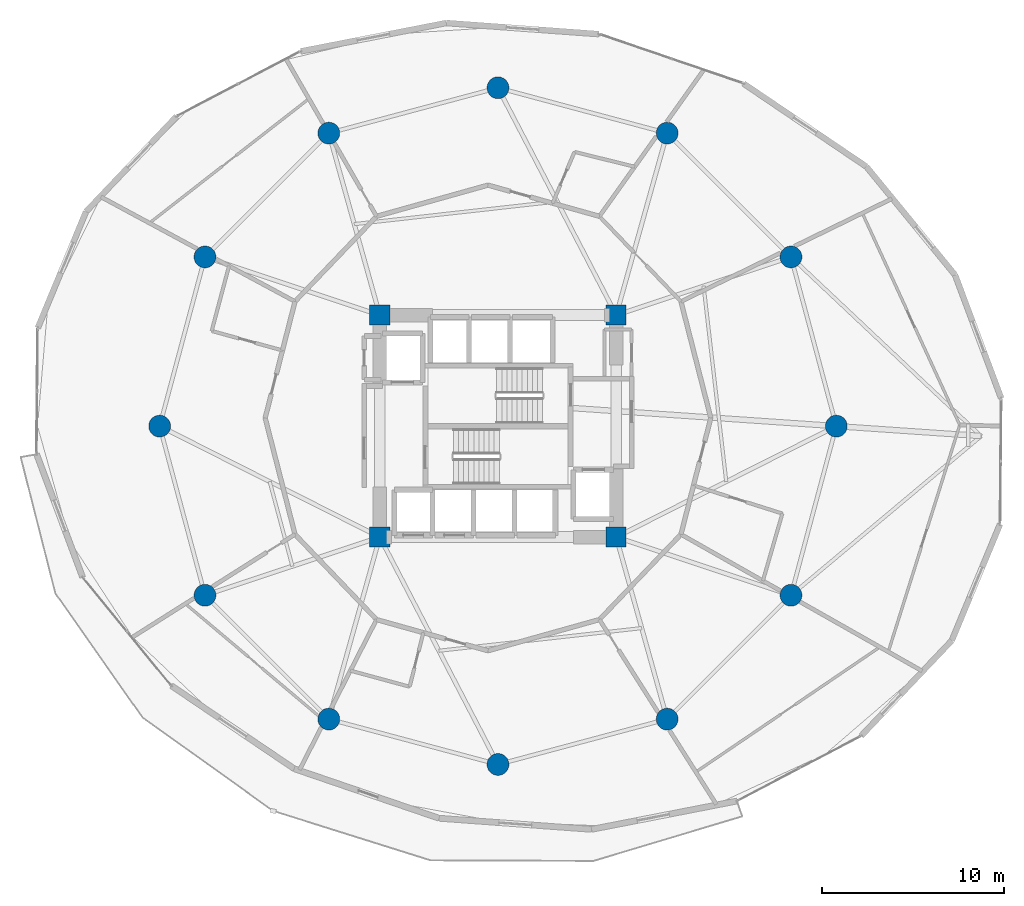
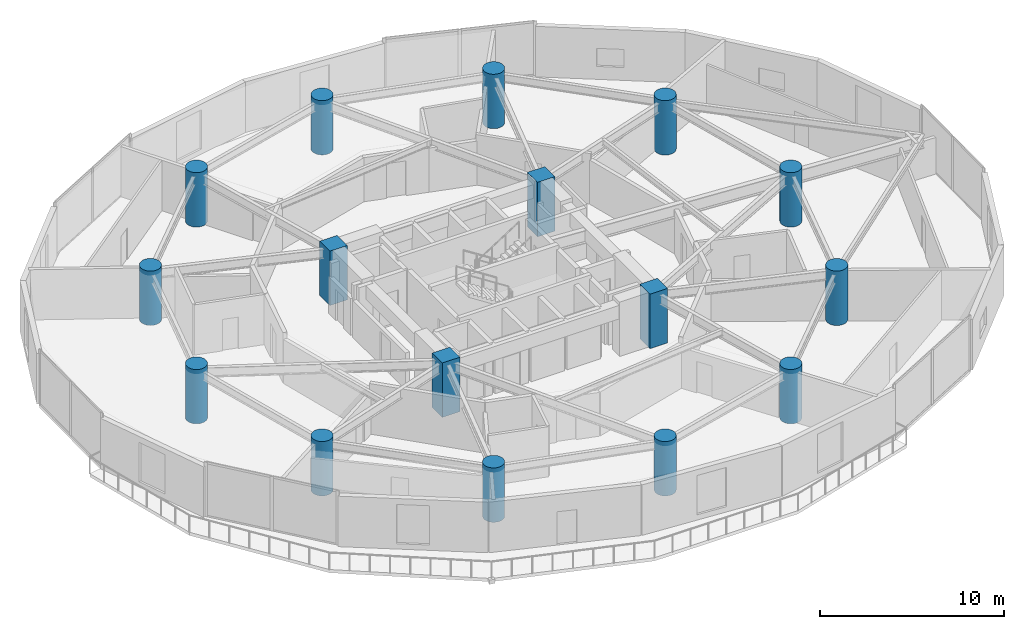
# One storey, part 1 of 20: 16 columns.
"""IFC4 building model written with IfcOpenShell, lengths in metres."""

from ifc_helpers import new_model, si_unit, direction, frame, origin, origin_2d, place, context, subcontext, project, spatial, rectangle, circle, extrude, material, material_profile, profile_set, type_object, element, save


model = new_model("IFC4")

# Units and contexts
model_context = context("Model", 3, precision=1e-05, world=origin(), true_north=direction((0.0, 1.0)))
body_context = subcontext(model_context, "Body", "Model", "MODEL_VIEW")
ifc_project = project(units=[si_unit("LENGTHUNIT", "METRE"), si_unit("AREAUNIT", "SQUARE_METRE"), si_unit("VOLUMEUNIT", "CUBIC_METRE"), si_unit("PLANEANGLEUNIT", "RADIAN"), si_unit("MASSUNIT", "GRAM", prefix="KILO")], contexts=[model_context])

# Site, building, storey
site_placement = place(None, origin())
site = spatial("IfcSite", under=ifc_project, at=site_placement, CompositionType="ELEMENT")
building_placement = place(site_placement, origin())
building = spatial("IfcBuilding", under=site, at=building_placement, Name="Solvirekh Grand Hotel", CompositionType="ELEMENT")
storey_placement = place(building_placement, frame((0.0, 0.0, 50.0)))
storey = spatial("IfcBuildingStorey", under=building, at=storey_placement, Name="L11", CompositionType="ELEMENT", Elevation=50.0)

# Columns
ifc_material = material(Name="Concrete C60/75", Category="concrete")
ifc_material_profile_1 = material_profile(ifc_material, rectangle(XDim=1.10009765625, YDim=1.10009765625, at=origin_2d()), Name="RC 1100X1100")
ifc_profile_set_1 = profile_set([ifc_material_profile_1], Name="Concrete C60/75")
column_type_1 = type_object("IfcColumnType", Name="Col_Core_1100", PredefinedType="COLUMN", material=ifc_profile_set_1)
for number, where, z_axis, x_axis, name in (
    (1, (-6.5, -6.10009765625, 0.0), (0.0, 0.0, 1.0), (1.0, 0.0, 0.0), "L11 core corner column CC1"),
    (2, (6.5, -6.10009765625, 0.0), (0.0, 0.0, 1.0), (1.0, 0.0, 0.0), "L11 core corner column CC2"),
    (3, (6.5, 6.10009765625, 0.0), (0.0, 0.0, 1.0), (1.0, 0.0, 0.0), "L11 core corner column CC3"),
    (4, (-6.5, 6.10009765625, 0.0), (0.0, 0.0, 1.0), (1.0, 0.0, 0.0), "L11 core corner column CC4"),
):
    element("IfcColumn", number, at=place(storey_placement, frame(where, z_axis=z_axis, x_axis=x_axis)), inside=storey, type_object=column_type_1, Name=name, PredefinedType="COLUMN", context=body_context, shape_type="SweptSolid", body=[
        extrude(rectangle(XDim=1.10009765625, YDim=1.10009765625, at=origin_2d()), origin(), (0.0, 0.0, 1.0), 3.60009765625),
    ])
ifc_material_profile_2 = material_profile(ifc_material, circle(Radius=0.60009765625, at=origin_2d()), Name="RC CIRC D1200")
ifc_profile_set_2 = profile_set([ifc_material_profile_2], Name="Concrete C60/75")
column_type_2 = type_object("IfcColumnType", Name="Col_Z1_D1200", PredefinedType="COLUMN", material=ifc_profile_set_2)
for number, where, z_axis, x_axis, name in (
    (5, (18.60009765625, 0.0, 0.0), (0.0, 0.0, 1.0), (1.0, 0.0, 0.0), "L11 perimeter column P01"),
    (6, (16.10791015625, 9.300048828125, 0.0), (0.0, 0.0, 1.0), (1.0, 0.0, 0.0), "L11 perimeter column P02"),
    (7, (9.300048828125, 16.10791015625, 0.0), (0.0, 0.0, 1.0), (1.0, 0.0, 0.0), "L11 perimeter column P03"),
    (8, (0.0, 18.60009765625, 0.0), (0.0, 0.0, 1.0), (1.0, 0.0, 0.0), "L11 perimeter column P04"),
    (9, (-9.300048828125, 16.10791015625, 0.0), (0.0, 0.0, 1.0), (1.0, 0.0, 0.0), "L11 perimeter column P05"),
    (10, (-16.10791015625, 9.300048828125, 0.0), (0.0, 0.0, 1.0), (1.0, 0.0, 0.0), "L11 perimeter column P06"),
    (11, (-18.60009765625, 0.0, 0.0), (0.0, 0.0, 1.0), (1.0, 0.0, 0.0), "L11 perimeter column P07"),
    (12, (-16.10791015625, -9.300048828125, 0.0), (0.0, 0.0, 1.0), (1.0, 0.0, 0.0), "L11 perimeter column P08"),
    (13, (-9.300048828125, -16.10791015625, 0.0), (0.0, 0.0, 1.0), (1.0, 0.0, 0.0), "L11 perimeter column P09"),
    (14, (0.0, -18.60009765625, 0.0), (0.0, 0.0, 1.0), (1.0, 0.0, 0.0), "L11 perimeter column P10"),
    (15, (9.300048828125, -16.10791015625, 0.0), (0.0, 0.0, 1.0), (1.0, 0.0, 0.0), "L11 perimeter column P11"),
    (16, (16.10791015625, -9.300048828125, 0.0), (0.0, 0.0, 1.0), (1.0, 0.0, 0.0), "L11 perimeter column P12"),
):
    element("IfcColumn", number, at=place(storey_placement, frame(where, z_axis=z_axis, x_axis=x_axis)), inside=storey, type_object=column_type_2, Name=name, PredefinedType="COLUMN", context=body_context, shape_type="SweptSolid", body=[
        extrude(circle(Radius=0.60009765625, at=origin_2d()), origin(), (0.0, 0.0, 1.0), 3.60009765625),
    ])

save(model, "model.ifc")
